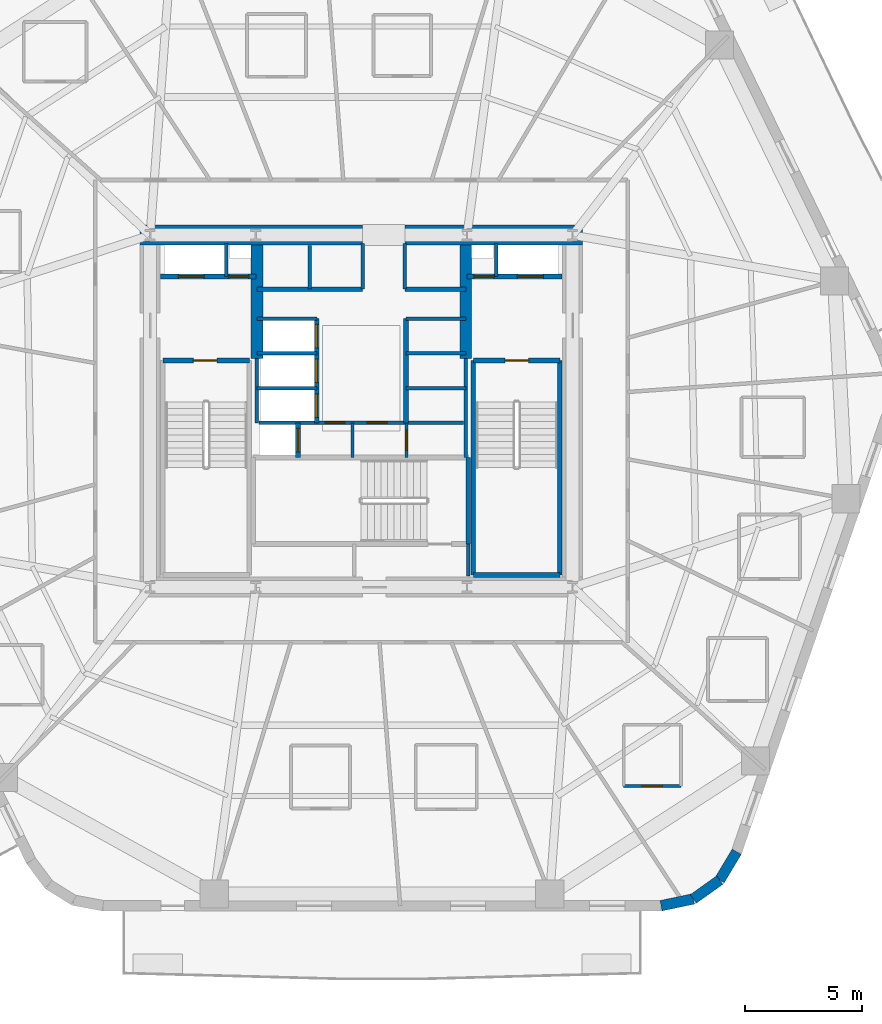
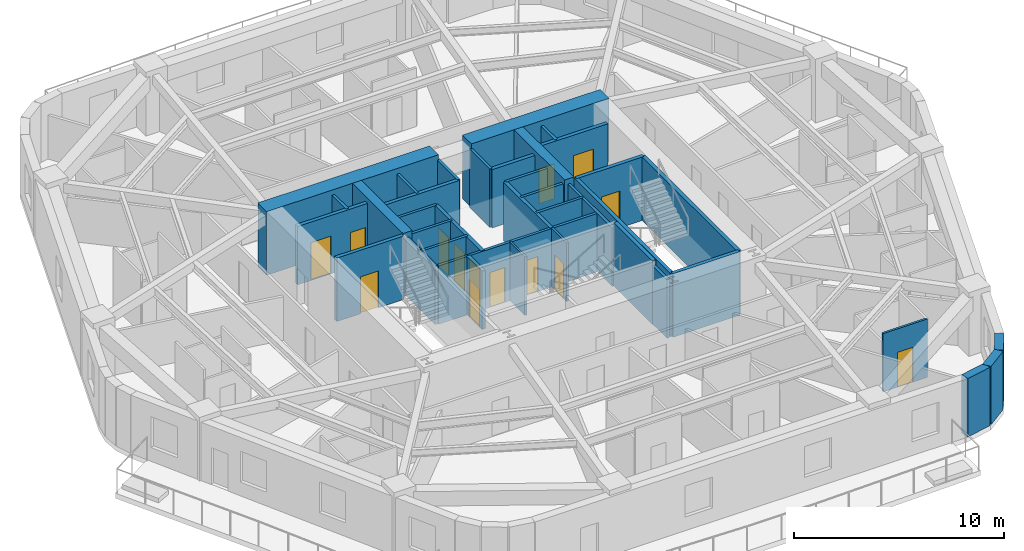
# One storey, part 4 of 10: 38 walls, 14 doors, 14 openings.
"""IFC4 building model written with IfcOpenShell, lengths in metres."""

from ifc_helpers import new_model, si_unit, direction, frame, frame_2d, origin, place, context, subcontext, project, spatial, rectangle, extrude, material, layer, layer_set, type_object, element, fill, save


model = new_model("IFC4")

# Units and contexts
model_context = context("Model", 3, precision=1e-05, world=origin(), true_north=direction((0.0, 1.0)))
body_context = subcontext(model_context, "Body", "Model", "MODEL_VIEW")
ifc_project = project(units=[si_unit("LENGTHUNIT", "METRE"), si_unit("AREAUNIT", "SQUARE_METRE"), si_unit("VOLUMEUNIT", "CUBIC_METRE"), si_unit("PLANEANGLEUNIT", "RADIAN"), si_unit("MASSUNIT", "GRAM", prefix="KILO")], contexts=[model_context])

# Site, building, storey
site_placement = place(None, origin())
site = spatial("IfcSite", under=ifc_project, at=site_placement, CompositionType="ELEMENT")
building_placement = place(site_placement, origin())
building = spatial("IfcBuilding", under=site, at=building_placement, Name="Kilnhurst Terrace Hotel", CompositionType="ELEMENT")
storey_placement = place(building_placement, frame((0.0, 0.0, 98.800048828125)))
storey = spatial("IfcBuildingStorey", under=building, at=storey_placement, Name="L23", CompositionType="ELEMENT", Elevation=98.800048828125)

# Walls
ifc_material_1 = material(Name="Precast concrete C40/50", Category="concrete")
ifc_layer_1 = layer(ifc_material_1, 0.449951171875, Name="Precast concrete C40/50")
ifc_layer_set_1 = layer_set([ifc_layer_1], Name="Precast concrete C40/50")
wall_type_1 = type_object("IfcWallType", Name="WL-BRK-450", PredefinedType="SOLIDWALL", material=ifc_layer_set_1)
wall_1_placement = place(storey_placement, frame((12.7705078125, -21.074951171875, 0.0), z_axis=(0.0, 0.0, 1.0), x_axis=(0.97874281988, 0.205091424819, 0.0)))
element("IfcWall", 1, at=wall_1_placement, inside=storey, type_object=wall_type_1, Name="L23 Rounded Corner Brick Wall C2.1", PredefinedType="SOLIDWALL", context=body_context, shape_type="SweptSolid", body=[
    extrude(rectangle(XDim=1.40576171875, YDim=0.449951171875, at=frame_2d((0.702880859375, 0.0))), origin(), (0.0, 0.0, 1.0), 3.39990234375),
])
wall_2_placement = place(storey_placement, frame((14.146484375, -20.78662109375, 0.0), z_axis=(0.0, 0.0, 1.0), x_axis=(0.814162929117, 0.580636482536, 0.0)))
element("IfcWall", 2, at=wall_2_placement, inside=storey, type_object=wall_type_1, Name="L23 Rounded Corner Brick Wall C2.2", PredefinedType="SOLIDWALL", context=body_context, shape_type="SweptSolid", body=[
    extrude(rectangle(XDim=1.382080078125, YDim=0.449951171875, at=frame_2d((0.69091796875, 0.0))), origin(), (0.0, 0.0, 1.0), 3.39990234375),
])
wall_3_placement = place(storey_placement, frame((15.271728515625, -19.984130859375, 0.0), z_axis=(0.0, 0.0, 1.0), x_axis=(0.512579347361, 0.858639862025, 0.0)))
element("IfcWall", 3, at=wall_3_placement, inside=storey, type_object=wall_type_1, Name="L23 Rounded Corner Brick Wall C2.3", PredefinedType="SOLIDWALL", context=body_context, shape_type="SweptSolid", body=[
    extrude(rectangle(XDim=1.406005859375, YDim=0.449951171875, at=frame_2d((0.703125, 0.0))), origin(), (0.0, 0.0, 1.0), 3.39990234375),
])
ifc_material_2 = material(Name="Concrete C80/95", Category="concrete")
ifc_layer_2 = layer(ifc_material_2, 0.85009765625, Name="Concrete C80/95")
ifc_layer_set_2 = layer_set([ifc_layer_2], Name="Concrete C80/95")
wall_type_2 = type_object("IfcWallType", Name="WL-CORE-850", PredefinedType="SHEAR", material=ifc_layer_set_2)
wall_4_placement = place(storey_placement, frame((-9.425048828125, 7.5, 0.0), z_axis=(0.0, 0.0, 1.0), x_axis=(1.0, 0.0, 0.0)))
element("IfcWall", 4, at=wall_4_placement, inside=storey, type_object=wall_type_2, Name="L23 Core North West Shear Wall", PredefinedType="SHEAR", context=body_context, shape_type="SweptSolid", body=[
    extrude(rectangle(XDim=9.47509765625, YDim=0.85009765625, at=frame_2d((4.737548828125, 0.0))), origin(), (0.0, 0.0, 1.0), 3.699951171875),
])
wall_5_placement = place(storey_placement, frame((1.85009765625, 7.5, 0.0), z_axis=(0.0, 0.0, 1.0), x_axis=(1.0, 0.0, 0.0)))
element("IfcWall", 5, at=wall_5_placement, inside=storey, type_object=wall_type_2, Name="L23 Core North East Shear Wall", PredefinedType="SHEAR", context=body_context, shape_type="SweptSolid", body=[
    extrude(rectangle(XDim=7.574951171875, YDim=0.85009765625, at=frame_2d((3.78759765625, 0.0))), origin(), (0.0, 0.0, 1.0), 3.699951171875),
])
ifc_material_3 = material(Name="Concrete C60/75", Category="concrete")
ifc_layer_3 = layer(ifc_material_3, 0.5, Name="Concrete C60/75")
ifc_layer_set_3 = layer_set([ifc_layer_3], Name="Concrete C60/75")
wall_type_3 = type_object("IfcWallType", Name="WL-CORE-WEB-500", PredefinedType="SHEAR", material=ifc_layer_set_3)
for number, where, z_axis, x_axis, name in (
    (6, (-4.449951171875, 2.25, 0.0), (0.0, 0.0, 1.0), (0.0, 1.0, 0.0), "L23 Core Internal West Shear Web"),
    (7, (4.449951171875, 2.25, 0.0), (0.0, 0.0, 1.0), (0.0, 1.0, 0.0), "L23 Core Internal East Shear Web"),
):
    element("IfcWall", number, at=place(storey_placement, frame(where, z_axis=z_axis, x_axis=x_axis)), inside=storey, type_object=wall_type_3, Name=name, PredefinedType="SHEAR", context=body_context, shape_type="SweptSolid", body=[
        extrude(rectangle(XDim=4.824951171875, YDim=0.5, at=frame_2d((2.41259765625, 0.0))), origin(), (0.0, 0.0, 1.0), 3.699951171875),
    ])
ifc_material_4 = material(Name="120 mm Moisture-Resistant Tile-Backed Bathroom Partition")
ifc_layer_4 = layer(ifc_material_4, 0.1201171875, Name="120 mm Moisture-Resistant Tile-Backed Bathroom Partition")
ifc_layer_set_4 = layer_set([ifc_layer_4], Name="120 mm Moisture-Resistant Tile-Backed Bathroom Partition")
wall_type_4 = type_object("IfcWallType", Name="WL-PART-120", PredefinedType="PARTITIONING", material=ifc_layer_set_4)
wall_6_placement = place(storey_placement, frame((-0.3798828125, -1.971923828125, 0.0), z_axis=(0.0, 0.0, 1.0), x_axis=(0.0, 1.0, 0.0)))
element("IfcWall", 8, at=wall_6_placement, inside=storey, type_object=wall_type_4, Name="L23 Interior Wall WL-L23-BOH-C1", PredefinedType="PARTITIONING", context=body_context, shape_type="SweptSolid", body=[
    extrude(rectangle(XDim=1.471923828125, YDim=0.1201171875, at=frame_2d((0.73583984375, 0.0))), origin(), (0.0, 0.0, 1.0), 3.39990234375),
])

# Wall, opening, door
wall_7_placement = place(storey_placement, frame((1.919921875, -1.971923828125, 0.0), z_axis=(0.0, 0.0, 1.0), x_axis=(0.0, 1.0, 0.0)))
wall_7 = element("IfcWall", 9, at=wall_7_placement, inside=storey, type_object=wall_type_4, Name="L23 Interior Wall WL-L23-BOH-C2", PredefinedType="PARTITIONING", context=body_context, shape_type="SweptSolid", body=[
    extrude(rectangle(XDim=1.471923828125, YDim=0.1201171875, at=frame_2d((0.73583984375, 0.0))), origin(), (0.0, 0.0, 1.0), 3.39990234375),
])
opening_1_placement = place(wall_7_placement, frame((0.300048828125, 0.0, 0.0)))
opening_1 = element("IfcOpeningElement", 10, at=opening_1_placement, cuts=wall_7, Name="Opening D-08A", PredefinedType="OPENING", context=body_context, shape_type="SweptSolid", body=[
    extrude(rectangle(XDim=0.85009765625, YDim=2.030029296875, at=frame_2d((0.425048828125, 1.01513671875))), frame((0.0, 0.070068359375, 0.0), z_axis=(0.0, -1.0, 0.0), x_axis=(1.0, 0.0, 0.0)), (0.0, 0.0, 1.0), 0.14013671875),
])
ifc_material_5 = material(Name="Moisture-Resistant Lacquered En-suite Bathroom Door")
door_type_1 = type_object("IfcDoorType", Name="DR-INT-850", OperationType="NOTDEFINED", PredefinedType="DOOR", material=ifc_material_5)
door_1_placement = place(opening_1_placement, origin())
door_1 = element("IfcDoor", 11, at=door_1_placement, inside=storey, type_object=door_type_1, Name="L23 Staff Restroom Door", OperationType="SINGLE_SWING_RIGHT", OverallHeight=2.030029296875, OverallWidth=0.85009765625, PredefinedType="DOOR", context=body_context, shape_type="SweptSolid", body=[
    extrude(rectangle(XDim=0.85009765625, YDim=2.030029296875, at=frame_2d((0.425048828125, 1.01513671875))), frame((0.0, 0.02490234375, 0.0), z_axis=(0.0, -1.0, 0.0), x_axis=(1.0, 0.0, 0.0)), (0.0, 0.0, 1.0), 0.050048828125),
])
fill(opening_1, door_1)

wall_8_placement = place(storey_placement, frame((11.177978515625, -15.97412109375, 0.0), z_axis=(0.0, 0.0, 1.0), x_axis=(1.0, 0.0, 0.0)))
wall_8 = element("IfcWall", 12, at=wall_8_placement, inside=storey, type_object=wall_type_4, Name="L23 Interior Wall WL-L23-BTH-17-1", PredefinedType="PARTITIONING", context=body_context, shape_type="SweptSolid", body=[
    extrude(rectangle(XDim=2.43994140625, YDim=0.1201171875, at=frame_2d((1.219970703125, 0.0))), origin(), (0.0, 0.0, 1.0), 3.39990234375),
])
opening_2_placement = place(wall_8_placement, frame((0.794921875, 0.0, 0.0)))
opening_2 = element("IfcOpeningElement", 13, at=opening_2_placement, cuts=wall_8, Name="Opening D-08A", PredefinedType="OPENING", context=body_context, shape_type="SweptSolid", body=[
    extrude(rectangle(XDim=0.85009765625, YDim=2.030029296875, at=frame_2d((0.425048828125, 1.01513671875))), frame((0.0, 0.070068359375, 0.0), z_axis=(0.0, -1.0, 0.0), x_axis=(1.0, 0.0, 0.0)), (0.0, 0.0, 1.0), 0.14013671875),
])
door_2_placement = place(opening_2_placement, origin())
door_2 = element("IfcDoor", 14, at=door_2_placement, inside=storey, type_object=door_type_1, Name="L23 En-suite Bathroom Door 17", OperationType="SINGLE_SWING_RIGHT", OverallHeight=2.030029296875, OverallWidth=0.85009765625, PredefinedType="DOOR", context=body_context, shape_type="SweptSolid", body=[
    extrude(rectangle(XDim=0.85009765625, YDim=2.030029296875, at=frame_2d((0.425048828125, 1.01513671875))), frame((0.0, 0.02490234375, 0.0), z_axis=(0.0, -1.0, 0.0), x_axis=(1.0, 0.0, 0.0)), (0.0, 0.0, 1.0), 0.050048828125),
])
fill(opening_2, door_2)

# Walls
ifc_material_6 = material(Name="Fire-Rated Gypsum Shaftliner Assembly")
ifc_layer_5 = layer(ifc_material_6, 0.14990234375, Name="Fire-Rated Gypsum Shaftliner Assembly")
ifc_layer_set_5 = layer_set([ifc_layer_5], Name="Fire-Rated Gypsum Shaftliner Assembly")
wall_type_5 = type_object("IfcWallType", Name="WL-SHAFT-150", PredefinedType="PARTITIONING", material=ifc_layer_set_5)
wall_9_placement = place(storey_placement, frame((4.55810546875, -7.02001953125, 0.0), z_axis=(0.0, 0.0, 1.0), x_axis=(0.0, 1.0, 0.0)))
element("IfcWall", 15, at=wall_9_placement, inside=storey, type_object=wall_type_5, Name="L23 Interior Wall WL-L23-ST3-PSGE", PredefinedType="PARTITIONING", context=body_context, shape_type="SweptSolid", body=[
    extrude(rectangle(XDim=1.362060546875, YDim=0.14990234375, at=frame_2d((0.68115234375, 0.0))), origin(), (0.0, 0.0, 1.0), 3.39990234375),
])
for number, where, z_axis, x_axis, name in (
    (16, (-5.75, 5.739990234375, 0.0), (0.0, 0.0, 1.0), (0.0, 1.0, 0.0), "L23 Interior Wall WL-L23-RIS1-DIV"),
    (17, (5.75, 5.739990234375, 0.0), (0.0, 0.0, 1.0), (0.0, 1.0, 0.0), "L23 Interior Wall WL-L23-RIS2-DIV"),
):
    element("IfcWall", number, at=place(storey_placement, frame(where, z_axis=z_axis, x_axis=x_axis)), inside=storey, type_object=wall_type_5, Name=name, PredefinedType="PARTITIONING", context=body_context, shape_type="SweptSolid", body=[
        extrude(rectangle(XDim=1.409912109375, YDim=0.14990234375, at=frame_2d((0.705078125, 0.0))), origin(), (0.0, 0.0, 1.0), 3.39990234375),
    ])
wall_10_placement = place(storey_placement, frame((-2.199951171875, 5.199951171875, 0.0), z_axis=(0.0, 0.0, 1.0), x_axis=(0.0, 1.0, 0.0)))
element("IfcWall", 18, at=wall_10_placement, inside=storey, type_object=wall_type_5, Name="L23 Interior Wall WL-L23-HR-DIV1", PredefinedType="PARTITIONING", context=body_context, shape_type="SweptSolid", body=[
    extrude(rectangle(XDim=1.85009765625, YDim=0.14990234375, at=frame_2d((0.925048828125, 0.0))), origin(), (0.0, 0.0, 1.0), 3.39990234375),
])
for number, where, z_axis, x_axis, name in (
    (19, (0.050048828125, 5.199951171875, 0.0), (0.0, 0.0, 1.0), (0.0, 1.0, 0.0), "L23 Interior Wall WL-L23-HR-PORTAL-W"),
    (20, (1.85009765625, 5.199951171875, 0.0), (0.0, 0.0, 1.0), (0.0, 1.0, 0.0), "L23 Interior Wall WL-L23-HR-PORTAL-E"),
):
    element("IfcWall", number, at=place(storey_placement, frame(where, z_axis=z_axis, x_axis=x_axis)), inside=storey, type_object=wall_type_5, Name=name, PredefinedType="PARTITIONING", context=body_context, shape_type="SweptSolid", body=[
        extrude(rectangle(XDim=1.949951171875, YDim=0.14990234375, at=frame_2d((0.97509765625, 0.0))), origin(), (0.0, 0.0, 1.0), 3.39990234375),
    ])
wall_11_placement = place(storey_placement, frame((-4.449951171875, -0.5, 0.0), z_axis=(0.0, 0.0, 1.0), x_axis=(0.0, 1.0, 0.0)))
element("IfcWall", 21, at=wall_11_placement, inside=storey, type_object=wall_type_5, Name="L23 Interior Wall WL-L23-XLOB-W", PredefinedType="PARTITIONING", context=body_context, shape_type="SweptSolid", body=[
    extrude(rectangle(XDim=2.75, YDim=0.14990234375, at=frame_2d((1.375, 0.0))), origin(), (0.0, 0.0, 1.0), 3.39990234375),
])
wall_12_placement = place(storey_placement, frame((4.449951171875, -1.971923828125, 0.0), z_axis=(0.0, 0.0, 1.0), x_axis=(0.0, 1.0, 0.0)))
element("IfcWall", 22, at=wall_12_placement, inside=storey, type_object=wall_type_5, Name="L23 Interior Wall WL-L23-XLOB-E", PredefinedType="PARTITIONING", context=body_context, shape_type="SweptSolid", body=[
    extrude(rectangle(XDim=4.221923828125, YDim=0.14990234375, at=frame_2d((2.11083984375, 0.0))), origin(), (0.0, 0.0, 1.0), 3.39990234375),
])
for number, where, z_axis, x_axis, name in (
    (23, (-4.449951171875, 3.93994140625, 0.0), (0.0, 0.0, 1.0), (1.0, 0.0, 0.0), "L23 Interior Wall WL-L23-LR-NORTH"),
    (24, (-4.449951171875, 0.97998046875, 0.0), (0.0, 0.0, 1.0), (1.0, 0.0, 0.0), "L23 Interior Wall WL-L23-LR-D1"),
    (25, (-4.449951171875, 2.4599609375, 0.0), (0.0, 0.0, 1.0), (1.0, 0.0, 0.0), "L23 Interior Wall WL-L23-LR-D2"),
    (26, (1.89990234375, 3.93994140625, 0.0), (0.0, 0.0, 1.0), (1.0, 0.0, 0.0), "L23 Interior Wall WL-L23-MR-NORTH"),
    (27, (1.89990234375, 0.97998046875, 0.0), (0.0, 0.0, 1.0), (1.0, 0.0, 0.0), "L23 Interior Wall WL-L23-MR-D1"),
    (28, (1.89990234375, 2.4599609375, 0.0), (0.0, 0.0, 1.0), (1.0, 0.0, 0.0), "L23 Interior Wall WL-L23-MR-D2"),
):
    element("IfcWall", number, at=place(storey_placement, frame(where, z_axis=z_axis, x_axis=x_axis)), inside=storey, type_object=wall_type_5, Name=name, PredefinedType="PARTITIONING", context=body_context, shape_type="SweptSolid", body=[
        extrude(rectangle(XDim=2.550048828125, YDim=0.14990234375, at=frame_2d((1.27490234375, 0.0))), origin(), (0.0, 0.0, 1.0), 3.39990234375),
    ])

# Wall, openings, doors
wall_13_placement = place(storey_placement, frame((-4.360107421875, -0.489990234375, 0.0), z_axis=(0.0, 0.0, 1.0), x_axis=(1.0, 0.0, 0.0)))
wall_13 = element("IfcWall", 29, at=wall_13_placement, inside=storey, type_object=wall_type_5, Name="L23 Interior Wall WL-L23-BOH-N", PredefinedType="PARTITIONING", context=body_context, shape_type="SweptSolid", body=[
    extrude(rectangle(XDim=8.72021484375, YDim=0.14990234375, at=frame_2d((4.360107421875, 0.0))), origin(), (0.0, 0.0, 1.0), 3.39990234375),
])
opening_3_placement = place(wall_13_placement, frame((2.81005859375, 0.0, 0.0)))
opening_3 = element("IfcOpeningElement", 30, at=opening_3_placement, cuts=wall_13, Name="Opening D-60D", PredefinedType="OPENING", context=body_context, shape_type="SweptSolid", body=[
    extrude(rectangle(XDim=0.85009765625, YDim=2.030029296875, at=frame_2d((0.425048828125, 1.01513671875))), frame((0.0, 0.0849609375, 0.0), z_axis=(0.0, -1.0, 0.0), x_axis=(1.0, 0.0, 0.0)), (0.0, 0.0, 1.0), 0.169921875),
])
opening_4_placement = place(wall_13_placement, frame((4.610107421875, 0.0, 0.0)))
opening_4 = element("IfcOpeningElement", 31, at=opening_4_placement, cuts=wall_13, Name="Opening D-60D", PredefinedType="OPENING", context=body_context, shape_type="SweptSolid", body=[
    extrude(rectangle(XDim=0.85009765625, YDim=2.030029296875, at=frame_2d((0.425048828125, 1.01513671875))), frame((0.0, 0.0849609375, 0.0), z_axis=(0.0, -1.0, 0.0), x_axis=(1.0, 0.0, 0.0)), (0.0, 0.0, 1.0), 0.169921875),
])
ifc_material_7 = material(Name="Painted Hollow Metal Steel ASTM A36 Riser Door", Category="steel")
door_type_2 = type_object("IfcDoorType", Name="DR-FD60-850", OperationType="NOTDEFINED", PredefinedType="DOOR", material=ifc_material_7)
door_3_placement = place(opening_3_placement, origin())
door_3 = element("IfcDoor", 32, at=door_3_placement, inside=storey, type_object=door_type_2, Name="L23 Housekeeping Station Door", OperationType="SINGLE_SWING_LEFT", OverallHeight=2.030029296875, OverallWidth=0.85009765625, PredefinedType="DOOR", context=body_context, shape_type="SweptSolid", body=[
    extrude(rectangle(XDim=0.85009765625, YDim=2.030029296875, at=frame_2d((0.425048828125, 1.01513671875))), frame((0.0, 0.02490234375, 0.0), z_axis=(0.0, -1.0, 0.0), x_axis=(1.0, 0.0, 0.0)), (0.0, 0.0, 1.0), 0.050048828125),
])
fill(opening_3, door_3)
door_4_placement = place(opening_4_placement, origin())
door_4 = element("IfcDoor", 33, at=door_4_placement, inside=storey, type_object=door_type_2, Name="L23 Beverage Pantry Door", OperationType="SINGLE_SWING_RIGHT", OverallHeight=2.030029296875, OverallWidth=0.85009765625, PredefinedType="DOOR", context=body_context, shape_type="SweptSolid", body=[
    extrude(rectangle(XDim=0.85009765625, YDim=2.030029296875, at=frame_2d((0.425048828125, 1.01513671875))), frame((0.0, 0.02490234375, 0.0), z_axis=(0.0, -1.0, 0.0), x_axis=(1.0, 0.0, 0.0)), (0.0, 0.0, 1.0), 0.050048828125),
])
fill(opening_4, door_4)

ifc_material_8 = material(Name="Autoclaved Aerated Concrete C30/37 and Gypsum Shaft Assembly", Category="concrete")
ifc_layer_6 = layer(ifc_material_8, 0.199951171875, Name="Autoclaved Aerated Concrete C30/37 and Gypsum Shaft Assembly")
ifc_layer_set_6 = layer_set([ifc_layer_6], Name="Autoclaved Aerated Concrete C30/37 and Gypsum Shaft Assembly")
wall_type_6 = type_object("IfcWallType", Name="WL-SHAFT-200", PredefinedType="PARTITIONING", material=ifc_layer_set_6)
wall_14_placement = place(storey_placement, frame((-8.550048828125, 5.739990234375, 0.0), z_axis=(0.0, 0.0, 1.0), x_axis=(1.0, 0.0, 0.0)))
wall_14 = element("IfcWall", 34, at=wall_14_placement, inside=storey, type_object=wall_type_6, Name="L23 Interior Wall WL-L23-FSAE1-S", PredefinedType="PARTITIONING", context=body_context, shape_type="SweptSolid", body=[
    extrude(rectangle(XDim=4.050048828125, YDim=0.199951171875, at=frame_2d((2.02490234375, 0.0))), origin(), (0.0, 0.0, 1.0), 3.39990234375),
])
opening_5_placement = place(wall_14_placement, frame((0.75, 0.0, 0.0)))
opening_5 = element("IfcOpeningElement", 35, at=opening_5_placement, cuts=wall_14, Name="Opening LD-F1", PredefinedType="OPENING", context=body_context, shape_type="SweptSolid", body=[
    extrude(rectangle(XDim=1.10009765625, YDim=2.199951171875, at=frame_2d((0.550048828125, 1.10009765625))), frame((0.0, 0.10986328125, 0.0), z_axis=(0.0, -1.0, 0.0), x_axis=(1.0, 0.0, 0.0)), (0.0, 0.0, 1.0), 0.219970703125),
])
opening_6_placement = place(wall_14_placement, frame((2.89990234375, 0.0, 0.0)))
opening_6 = element("IfcOpeningElement", 36, at=opening_6_placement, cuts=wall_14, Name="Opening D-60D", PredefinedType="OPENING", context=body_context, shape_type="SweptSolid", body=[
    extrude(rectangle(XDim=0.85009765625, YDim=2.030029296875, at=frame_2d((0.425048828125, 1.01513671875))), frame((0.0, 0.10986328125, 0.0), z_axis=(0.0, -1.0, 0.0), x_axis=(1.0, 0.0, 0.0)), (0.0, 0.0, 1.0), 0.219970703125),
])
door_5_placement = place(opening_6_placement, origin())
door_5 = element("IfcDoor", 37, at=door_5_placement, inside=storey, type_object=door_type_2, Name="L23 Electrical Riser Door", OperationType="SINGLE_SWING_LEFT", OverallHeight=2.030029296875, OverallWidth=0.85009765625, PredefinedType="DOOR", context=body_context, shape_type="SweptSolid", body=[
    extrude(rectangle(XDim=0.85009765625, YDim=2.030029296875, at=frame_2d((0.425048828125, 1.01513671875))), frame((0.0, 0.02490234375, 0.0), z_axis=(0.0, -1.0, 0.0), x_axis=(1.0, 0.0, 0.0)), (0.0, 0.0, 1.0), 0.050048828125),
])
fill(opening_6, door_5)
ifc_material_9 = material(Name="Bronze-Anodized Stainless Steel AISI 316L Sliding Door", Category="steel")
door_type_3 = type_object("IfcDoorType", Name="DR-LIFT-1100", OperationType="NOTDEFINED", PredefinedType="DOOR", material=ifc_material_9)
door_6_placement = place(opening_5_placement, origin())
door_6 = element("IfcDoor", 38, at=door_6_placement, inside=storey, type_object=door_type_3, Name="L23 FSAE-1 Landing Door", OperationType="SLIDING_TO_LEFT", OverallHeight=2.199951171875, OverallWidth=1.10009765625, PredefinedType="DOOR", context=body_context, shape_type="SweptSolid", body=[
    extrude(rectangle(XDim=1.10009765625, YDim=2.199951171875, at=frame_2d((0.550048828125, 1.10009765625))), frame((0.0, 0.02490234375, 0.0), z_axis=(0.0, -1.0, 0.0), x_axis=(1.0, 0.0, 0.0)), (0.0, 0.0, 1.0), 0.050048828125),
])
fill(opening_5, door_6)

wall_15_placement = place(storey_placement, frame((4.5, 5.739990234375, 0.0), z_axis=(0.0, 0.0, 1.0), x_axis=(1.0, 0.0, 0.0)))
wall_15 = element("IfcWall", 39, at=wall_15_placement, inside=storey, type_object=wall_type_6, Name="L23 Interior Wall WL-L23-FSAE2-S", PredefinedType="PARTITIONING", context=body_context, shape_type="SweptSolid", body=[
    extrude(rectangle(XDim=4.050048828125, YDim=0.199951171875, at=frame_2d((2.02490234375, 0.0))), origin(), (0.0, 0.0, 1.0), 3.39990234375),
])
opening_7_placement = place(wall_15_placement, frame((0.300048828125, 0.0, 0.0)))
opening_7 = element("IfcOpeningElement", 40, at=opening_7_placement, cuts=wall_15, Name="Opening D-60D", PredefinedType="OPENING", context=body_context, shape_type="SweptSolid", body=[
    extrude(rectangle(XDim=0.85009765625, YDim=2.030029296875, at=frame_2d((0.425048828125, 1.01513671875))), frame((0.0, 0.10986328125, 0.0), z_axis=(0.0, -1.0, 0.0), x_axis=(1.0, 0.0, 0.0)), (0.0, 0.0, 1.0), 0.219970703125),
])
opening_8_placement = place(wall_15_placement, frame((2.14990234375, 0.0, 0.0)))
opening_8 = element("IfcOpeningElement", 41, at=opening_8_placement, cuts=wall_15, Name="Opening LD-F2", PredefinedType="OPENING", context=body_context, shape_type="SweptSolid", body=[
    extrude(rectangle(XDim=1.10009765625, YDim=2.199951171875, at=frame_2d((0.550048828125, 1.10009765625))), frame((0.0, 0.10986328125, 0.0), z_axis=(0.0, -1.0, 0.0), x_axis=(1.0, 0.0, 0.0)), (0.0, 0.0, 1.0), 0.219970703125),
])
door_7_placement = place(opening_7_placement, origin())
door_7 = element("IfcDoor", 42, at=door_7_placement, inside=storey, type_object=door_type_2, Name="L23 Telecom Riser Door", OperationType="SINGLE_SWING_RIGHT", OverallHeight=2.030029296875, OverallWidth=0.85009765625, PredefinedType="DOOR", context=body_context, shape_type="SweptSolid", body=[
    extrude(rectangle(XDim=0.85009765625, YDim=2.030029296875, at=frame_2d((0.425048828125, 1.01513671875))), frame((0.0, 0.02490234375, 0.0), z_axis=(0.0, -1.0, 0.0), x_axis=(1.0, 0.0, 0.0)), (0.0, 0.0, 1.0), 0.050048828125),
])
fill(opening_7, door_7)
door_8_placement = place(opening_8_placement, origin())
door_8 = element("IfcDoor", 43, at=door_8_placement, inside=storey, type_object=door_type_3, Name="L23 FSAE-2 Landing Door", OperationType="SLIDING_TO_RIGHT", OverallHeight=2.199951171875, OverallWidth=1.10009765625, PredefinedType="DOOR", context=body_context, shape_type="SweptSolid", body=[
    extrude(rectangle(XDim=1.10009765625, YDim=2.199951171875, at=frame_2d((0.550048828125, 1.10009765625))), frame((0.0, 0.02490234375, 0.0), z_axis=(0.0, -1.0, 0.0), x_axis=(1.0, 0.0, 0.0)), (0.0, 0.0, 1.0), 0.050048828125),
])
fill(opening_8, door_8)

# Wall, opening, door
wall_16_placement = place(storey_placement, frame((-2.699951171875, -1.971923828125, 0.0), z_axis=(0.0, 0.0, 1.0), x_axis=(0.0, 1.0, 0.0)))
wall_16 = element("IfcWall", 44, at=wall_16_placement, inside=storey, type_object=wall_type_6, Name="L23 Interior Wall WL-L23-SRV1-E", PredefinedType="PARTITIONING", context=body_context, shape_type="SweptSolid", body=[
    extrude(rectangle(XDim=1.471923828125, YDim=0.199951171875, at=frame_2d((0.73583984375, 0.0))), origin(), (0.0, 0.0, 1.0), 3.39990234375),
])
opening_9_placement = place(wall_16_placement, frame((0.239990234375, 0.0, 0.0)))
opening_9 = element("IfcOpeningElement", 45, at=opening_9_placement, cuts=wall_16, Name="Opening LD-SV", PredefinedType="OPENING", context=body_context, shape_type="SweptSolid", body=[
    extrude(rectangle(XDim=1.0, YDim=2.199951171875, at=frame_2d((0.5, 1.10009765625))), frame((0.0, 0.10986328125, 0.0), z_axis=(0.0, -1.0, 0.0), x_axis=(1.0, 0.0, 0.0)), (0.0, 0.0, 1.0), 0.219970703125),
])
door_type_4 = type_object("IfcDoorType", Name="DR-LIFT-1000", OperationType="NOTDEFINED", PredefinedType="DOOR", material=ifc_material_9)
door_9_placement = place(opening_9_placement, origin())
door_9 = element("IfcDoor", 46, at=door_9_placement, inside=storey, type_object=door_type_4, Name="L23 Service Lift SRV-1 Landing Door", OperationType="SLIDING_TO_LEFT", OverallHeight=2.199951171875, OverallWidth=1.0, PredefinedType="DOOR", context=body_context, shape_type="SweptSolid", body=[
    extrude(rectangle(XDim=1.0, YDim=2.199951171875, at=frame_2d((0.5, 1.10009765625))), frame((0.0, 0.02490234375, 0.0), z_axis=(0.0, -1.0, 0.0), x_axis=(1.0, 0.0, 0.0)), (0.0, 0.0, 1.0), 0.050048828125),
])
fill(opening_9, door_9)

# Walls
wall_17_placement = place(storey_placement, frame((-4.449951171875, 5.199951171875, 0.0), z_axis=(0.0, 0.0, 1.0), x_axis=(1.0, 0.0, 0.0)))
element("IfcWall", 47, at=wall_17_placement, inside=storey, type_object=wall_type_6, Name="L23 Interior Wall WL-L23-HR-SW", PredefinedType="PARTITIONING", context=body_context, shape_type="SweptSolid", body=[
    extrude(rectangle(XDim=4.5, YDim=0.199951171875, at=frame_2d((2.25, 0.0))), origin(), (0.0, 0.0, 1.0), 3.39990234375),
])
wall_18_placement = place(storey_placement, frame((1.85009765625, 5.199951171875, 0.0), z_axis=(0.0, 0.0, 1.0), x_axis=(1.0, 0.0, 0.0)))
element("IfcWall", 48, at=wall_18_placement, inside=storey, type_object=wall_type_6, Name="L23 Interior Wall WL-L23-HR-SE", PredefinedType="PARTITIONING", context=body_context, shape_type="SweptSolid", body=[
    extrude(rectangle(XDim=2.599853515625, YDim=0.199951171875, at=frame_2d((1.2998046875, 0.0))), origin(), (0.0, 0.0, 1.0), 3.39990234375),
])

# Wall, openings, doors
wall_19_placement = place(storey_placement, frame((-1.89990234375, -0.5, 0.0), z_axis=(0.0, 0.0, 1.0), x_axis=(0.0, 1.0, 0.0)))
wall_19 = element("IfcWall", 49, at=wall_19_placement, inside=storey, type_object=wall_type_6, Name="L23 Interior Wall WL-L23-LR-FRONT", PredefinedType="PARTITIONING", context=body_context, shape_type="SweptSolid", body=[
    extrude(rectangle(XDim=4.43994140625, YDim=0.199951171875, at=frame_2d((2.219970703125, 0.0))), origin(), (0.0, 0.0, 1.0), 3.39990234375),
])
opening_10_placement = place(wall_19_placement, frame((0.239990234375, 0.0, 0.0)))
opening_10 = element("IfcOpeningElement", 50, at=opening_10_placement, cuts=wall_19, Name="Opening LD-LR", PredefinedType="OPENING", context=body_context, shape_type="SweptSolid", body=[
    extrude(rectangle(XDim=1.0, YDim=2.199951171875, at=frame_2d((0.5, 1.10009765625))), frame((0.0, 0.10986328125, 0.0), z_axis=(0.0, -1.0, 0.0), x_axis=(1.0, 0.0, 0.0)), (0.0, 0.0, 1.0), 0.219970703125),
])
opening_11_placement = place(wall_19_placement, frame((1.719970703125, 0.0, 0.0)))
opening_11 = element("IfcOpeningElement", 51, at=opening_11_placement, cuts=wall_19, Name="Opening LD-LR", PredefinedType="OPENING", context=body_context, shape_type="SweptSolid", body=[
    extrude(rectangle(XDim=1.0, YDim=2.199951171875, at=frame_2d((0.5, 1.10009765625))), frame((0.0, 0.10986328125, 0.0), z_axis=(0.0, -1.0, 0.0), x_axis=(1.0, 0.0, 0.0)), (0.0, 0.0, 1.0), 0.219970703125),
])
opening_12_placement = place(wall_19_placement, frame((3.199951171875, 0.0, 0.0)))
opening_12 = element("IfcOpeningElement", 52, at=opening_12_placement, cuts=wall_19, Name="Opening LD-LR", PredefinedType="OPENING", context=body_context, shape_type="SweptSolid", body=[
    extrude(rectangle(XDim=1.0, YDim=2.199951171875, at=frame_2d((0.5, 1.10009765625))), frame((0.0, 0.10986328125, 0.0), z_axis=(0.0, -1.0, 0.0), x_axis=(1.0, 0.0, 0.0)), (0.0, 0.0, 1.0), 0.219970703125),
])
door_10_placement = place(opening_10_placement, origin())
door_10 = element("IfcDoor", 53, at=door_10_placement, inside=storey, type_object=door_type_4, Name="L23 Low Rise Lift LR-1 Landing Door", OperationType="SLIDING_TO_LEFT", OverallHeight=2.199951171875, OverallWidth=1.0, PredefinedType="DOOR", context=body_context, shape_type="SweptSolid", body=[
    extrude(rectangle(XDim=1.0, YDim=2.199951171875, at=frame_2d((0.5, 1.10009765625))), frame((0.0, 0.02490234375, 0.0), z_axis=(0.0, -1.0, 0.0), x_axis=(1.0, 0.0, 0.0)), (0.0, 0.0, 1.0), 0.050048828125),
])
fill(opening_10, door_10)
door_11_placement = place(opening_11_placement, origin())
door_11 = element("IfcDoor", 54, at=door_11_placement, inside=storey, type_object=door_type_4, Name="L23 Low Rise Lift LR-2 Landing Door", OperationType="SLIDING_TO_LEFT", OverallHeight=2.199951171875, OverallWidth=1.0, PredefinedType="DOOR", context=body_context, shape_type="SweptSolid", body=[
    extrude(rectangle(XDim=1.0, YDim=2.199951171875, at=frame_2d((0.5, 1.10009765625))), frame((0.0, 0.02490234375, 0.0), z_axis=(0.0, -1.0, 0.0), x_axis=(1.0, 0.0, 0.0)), (0.0, 0.0, 1.0), 0.050048828125),
])
fill(opening_11, door_11)
door_12_placement = place(opening_12_placement, origin())
door_12 = element("IfcDoor", 55, at=door_12_placement, inside=storey, type_object=door_type_4, Name="L23 Low Rise Lift LR-3 Landing Door", OperationType="SLIDING_TO_LEFT", OverallHeight=2.199951171875, OverallWidth=1.0, PredefinedType="DOOR", context=body_context, shape_type="SweptSolid", body=[
    extrude(rectangle(XDim=1.0, YDim=2.199951171875, at=frame_2d((0.5, 1.10009765625))), frame((0.0, 0.02490234375, 0.0), z_axis=(0.0, -1.0, 0.0), x_axis=(1.0, 0.0, 0.0)), (0.0, 0.0, 1.0), 0.050048828125),
])
fill(opening_12, door_12)

# Wall
wall_20_placement = place(storey_placement, frame((1.89990234375, -0.5, 0.0), z_axis=(0.0, 0.0, 1.0), x_axis=(0.0, 1.0, 0.0)))
element("IfcWall", 56, at=wall_20_placement, inside=storey, type_object=wall_type_6, Name="L23 Interior Wall WL-L23-MR-FRONT", PredefinedType="PARTITIONING", context=body_context, shape_type="SweptSolid", body=[
    extrude(rectangle(XDim=4.43994140625, YDim=0.199951171875, at=frame_2d((2.219970703125, 0.0))), origin(), (0.0, 0.0, 1.0), 3.39990234375),
])

# Wall, opening, door
ifc_material_10 = material(Name="Concrete C50/60", Category="concrete")
ifc_layer_7 = layer(ifc_material_10, 0.199951171875, Name="Concrete C50/60")
ifc_layer_set_7 = layer_set([ifc_layer_7], Name="Concrete C50/60")
wall_type_7 = type_object("IfcWallType", Name="WL-STAIR-RC-200", PredefinedType="SHEAR", material=ifc_layer_set_7)
wall_21_placement = place(storey_placement, frame((-8.4580078125, 2.157958984375, 0.0), z_axis=(0.0, 0.0, 1.0), x_axis=(1.0, 0.0, 0.0)))
wall_21 = element("IfcWall", 57, at=wall_21_placement, inside=storey, type_object=wall_type_7, Name="L23 Structural Stair Shaft Wall WL-L23-ST1-N", PredefinedType="SHEAR", context=body_context, shape_type="SweptSolid", body=[
    extrude(rectangle(XDim=3.68603515625, YDim=0.199951171875, at=frame_2d((1.843017578125, 0.0))), origin(), (0.0, 0.0, 1.0), 3.699951171875),
])
opening_13_placement = place(wall_21_placement, frame((1.300048828125, 0.0, 0.0)))
opening_13 = element("IfcOpeningElement", 58, at=opening_13_placement, cuts=wall_21, Name="Opening D-90B", PredefinedType="OPENING", context=body_context, shape_type="SweptSolid", body=[
    extrude(rectangle(XDim=1.0, YDim=2.14990234375, at=frame_2d((0.5, 1.074951171875))), frame((0.0, 0.10986328125, 0.0), z_axis=(0.0, -1.0, 0.0), x_axis=(1.0, 0.0, 0.0)), (0.0, 0.0, 1.0), 0.219970703125),
])
ifc_material_11 = material(Name="Painted Hollow Metal Steel ASTM A36 Fire Door", Category="steel")
door_type_5 = type_object("IfcDoorType", Name="DR-FD90-1000", OperationType="NOTDEFINED", PredefinedType="DOOR", material=ifc_material_11)
door_13_placement = place(opening_13_placement, origin())
door_13 = element("IfcDoor", 59, at=door_13_placement, inside=storey, type_object=door_type_5, Name="L23 Stair ST-1 Door", OperationType="SINGLE_SWING_LEFT", OverallHeight=2.14990234375, OverallWidth=1.0, PredefinedType="DOOR", context=body_context, shape_type="SweptSolid", body=[
    extrude(rectangle(XDim=1.0, YDim=2.14990234375, at=frame_2d((0.5, 1.074951171875))), frame((0.0, 0.02490234375, 0.0), z_axis=(0.0, -1.0, 0.0), x_axis=(1.0, 0.0, 0.0)), (0.0, 0.0, 1.0), 0.050048828125),
])
fill(opening_13, door_13)

# Walls
for number, where, z_axis, x_axis, name in (
    (60, (4.77197265625, -6.985107421875, 0.0), (0.0, 0.0, 1.0), (0.0, 1.0, 0.0), "L23 Structural Stair Shaft Wall WL-L23-ST2-W"),
    (61, (8.4580078125, -6.985107421875, 0.0), (0.0, 0.0, 1.0), (0.0, 1.0, 0.0), "L23 Structural Stair Shaft Wall WL-L23-ST2-E"),
):
    element("IfcWall", number, at=place(storey_placement, frame(where, z_axis=z_axis, x_axis=x_axis)), inside=storey, type_object=wall_type_7, Name=name, PredefinedType="SHEAR", context=body_context, shape_type="SweptSolid", body=[
        extrude(rectangle(XDim=9.14306640625, YDim=0.199951171875, at=frame_2d((4.571533203125, 0.0))), origin(), (0.0, 0.0, 1.0), 3.699951171875),
    ])
wall_22_placement = place(storey_placement, frame((4.77197265625, -6.985107421875, 0.0), z_axis=(0.0, 0.0, 1.0), x_axis=(1.0, 0.0, 0.0)))
element("IfcWall", 62, at=wall_22_placement, inside=storey, type_object=wall_type_7, Name="L23 Structural Stair Shaft Wall WL-L23-ST2-S", PredefinedType="SHEAR", context=body_context, shape_type="SweptSolid", body=[
    extrude(rectangle(XDim=3.68603515625, YDim=0.199951171875, at=frame_2d((1.843017578125, 0.0))), origin(), (0.0, 0.0, 1.0), 3.699951171875),
])

# Wall, opening, door
wall_23_placement = place(storey_placement, frame((4.77197265625, 2.157958984375, 0.0), z_axis=(0.0, 0.0, 1.0), x_axis=(1.0, 0.0, 0.0)))
wall_23 = element("IfcWall", 63, at=wall_23_placement, inside=storey, type_object=wall_type_7, Name="L23 Structural Stair Shaft Wall WL-L23-ST2-N", PredefinedType="SHEAR", context=body_context, shape_type="SweptSolid", body=[
    extrude(rectangle(XDim=3.68603515625, YDim=0.199951171875, at=frame_2d((1.843017578125, 0.0))), origin(), (0.0, 0.0, 1.0), 3.699951171875),
])
opening_14_placement = place(wall_23_placement, frame((1.35009765625, 0.0, 0.0)))
opening_14 = element("IfcOpeningElement", 64, at=opening_14_placement, cuts=wall_23, Name="Opening D-90B", PredefinedType="OPENING", context=body_context, shape_type="SweptSolid", body=[
    extrude(rectangle(XDim=1.0, YDim=2.14990234375, at=frame_2d((0.5, 1.074951171875))), frame((0.0, 0.10986328125, 0.0), z_axis=(0.0, -1.0, 0.0), x_axis=(1.0, 0.0, 0.0)), (0.0, 0.0, 1.0), 0.219970703125),
])
door_14_placement = place(opening_14_placement, origin())
door_14 = element("IfcDoor", 65, at=door_14_placement, inside=storey, type_object=door_type_5, Name="L23 Stair ST-2 Door", OperationType="SINGLE_SWING_RIGHT", OverallHeight=2.14990234375, OverallWidth=1.0, PredefinedType="DOOR", context=body_context, shape_type="SweptSolid", body=[
    extrude(rectangle(XDim=1.0, YDim=2.14990234375, at=frame_2d((0.5, 1.074951171875))), frame((0.0, 0.02490234375, 0.0), z_axis=(0.0, -1.0, 0.0), x_axis=(1.0, 0.0, 0.0)), (0.0, 0.0, 1.0), 0.050048828125),
])
fill(opening_14, door_14)

# Wall
wall_24_placement = place(storey_placement, frame((4.55810546875, -5.657958984375, 0.0), z_axis=(0.0, 0.0, 1.0), x_axis=(0.0, 1.0, 0.0)))
element("IfcWall", 66, at=wall_24_placement, inside=storey, type_object=wall_type_7, Name="L23 Structural Stair Shaft Wall WL-L23-ST3-E", PredefinedType="SHEAR", context=body_context, shape_type="SweptSolid", body=[
    extrude(rectangle(XDim=3.68603515625, YDim=0.199951171875, at=frame_2d((1.843017578125, 0.0))), origin(), (0.0, 0.0, 1.0), 3.699951171875),
])

save(model, "model.ifc")
